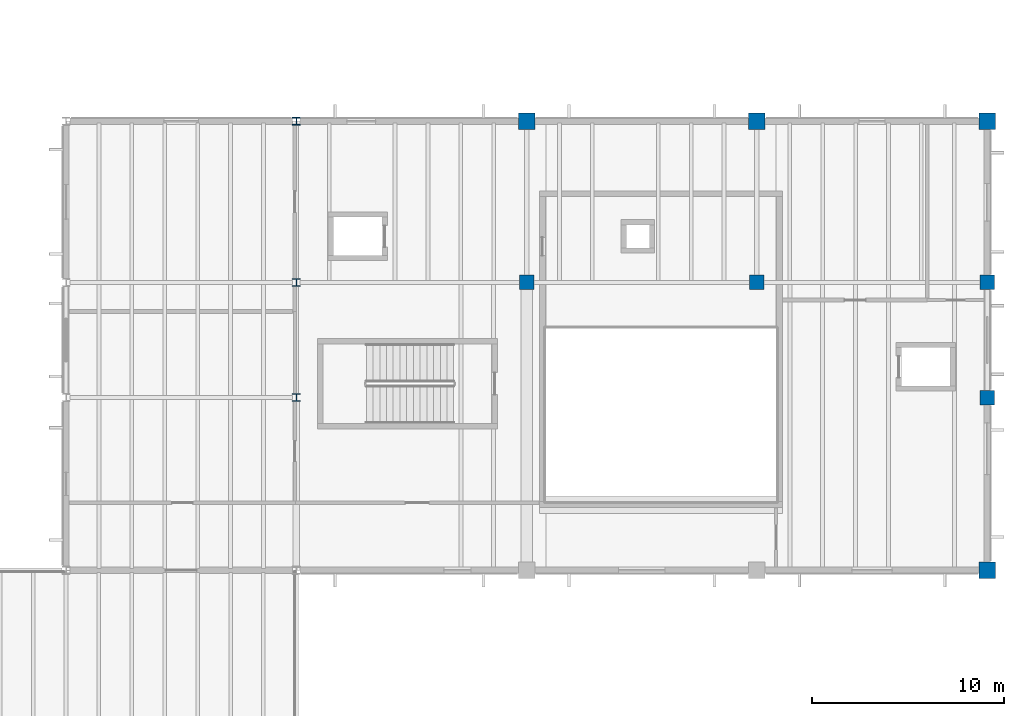
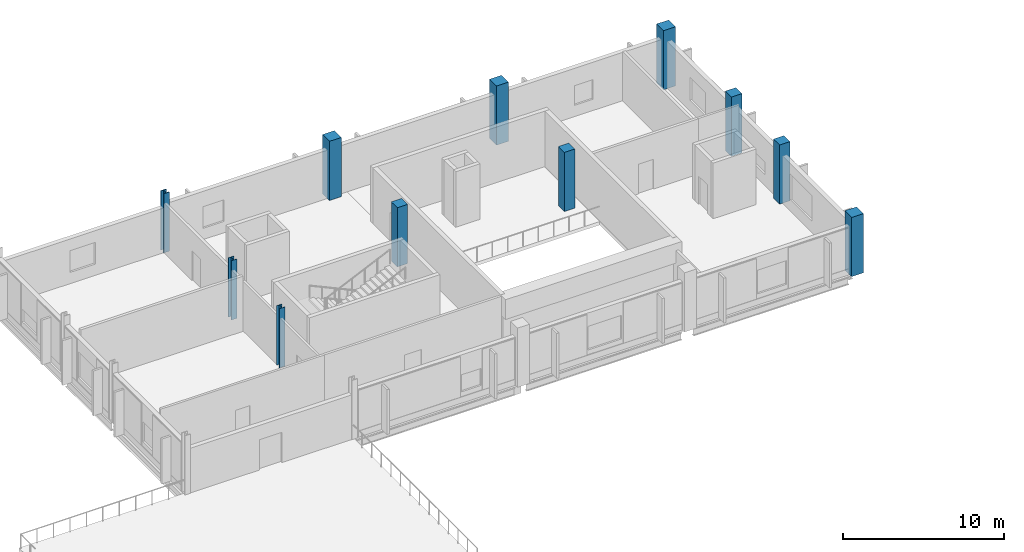
# One storey, part 8 of 78: 11 columns.
"""IFC4 building model written with IfcOpenShell, lengths in metres."""

from ifc_helpers import new_model, si_unit, direction, frame, origin, origin_2d, place, context, subcontext, project, spatial, rectangle, i_section, extrude, material, material_profile, profile_set, type_object, element, save


model = new_model("IFC4")

# Units and contexts
model_context = context("Model", 3, precision=1e-05, world=origin(), true_north=direction((0.0, 1.0)))
body_context = subcontext(model_context, "Body", "Model", "MODEL_VIEW")
ifc_project = project(units=[si_unit("LENGTHUNIT", "METRE"), si_unit("AREAUNIT", "SQUARE_METRE"), si_unit("VOLUMEUNIT", "CUBIC_METRE"), si_unit("PLANEANGLEUNIT", "RADIAN"), si_unit("MASSUNIT", "GRAM", prefix="KILO")], contexts=[model_context])

# Site, building, storey
site_placement = place(None, origin())
site = spatial("IfcSite", under=ifc_project, at=site_placement, CompositionType="ELEMENT")
building_placement = place(site_placement, origin())
building = spatial("IfcBuilding", under=site, at=building_placement, Name="Kelmvaro Bay Concert Hall", CompositionType="ELEMENT")
storey_placement = place(building_placement, frame((0.0, 0.0, 9.300048828125)))
storey = spatial("IfcBuildingStorey", under=building, at=storey_placement, Name="L02", CompositionType="ELEMENT", Elevation=9.300048828125)

# Columns
ifc_material_1 = material(Name="Steel ASTM A992 Grade 50", Category="steel")
ifc_material_profile_1 = material_profile(ifc_material_1, i_section(OverallWidth=0.40087890625, OverallDepth=0.39892578125, WebThickness=0.02490234375, FlangeThickness=0.03955078125, at=origin_2d()), Name="W14X211")
ifc_profile_set_1 = profile_set([ifc_material_profile_1], Name="Steel ASTM A992 Grade 50")
column_type_1 = type_object("IfcColumnType", Name="Bridge Anchor Column W14x211", PredefinedType="COLUMN", material=ifc_profile_set_1)
column_placement = place(storey_placement, frame((132.0, 97.199951171875, 0.0), z_axis=(0.0, 0.0, 1.0), x_axis=(1.0, 0.0, 0.0)))
element("IfcColumn", 1, at=column_placement, inside=storey, type_object=column_type_1, Name="L02 Column V2B-132-972", PredefinedType="COLUMN", context=body_context, shape_type="SweptSolid", body=[
    extrude(i_section(OverallWidth=0.40087890625, OverallDepth=0.39892578125, WebThickness=0.02490234375, FlangeThickness=0.03955078125, at=origin_2d()), origin(), (0.0, 0.0, 1.0), 4.5),
])
ifc_material_2 = material(Name="Steel ASTM A992 Grade 50", Category="steel")
ifc_material_profile_2 = material_profile(ifc_material_2, i_section(OverallWidth=0.40087890625, OverallDepth=0.39404296875, WebThickness=0.022705078125, FlangeThickness=0.03662109375, at=origin_2d()), Name="W14X193")
ifc_profile_set_2 = profile_set([ifc_material_profile_2], Name="Steel ASTM A992 Grade 50")
column_type_2 = type_object("IfcColumnType", Name="Bridge Support Column W14x193", PredefinedType="COLUMN", material=ifc_profile_set_2)
for number, where, z_axis, x_axis, name in (
    (2, (132.0, 82.800048828125, 0.0), (0.0, 0.0, 1.0), (1.0, 0.0, 0.0), "L02 Column V2B-132-828"),
    (3, (132.0, 88.800048828125, 0.0), (0.0, 0.0, 1.0), (1.0, 0.0, 0.0), "L02 Column V2B-132-888"),
):
    element("IfcColumn", number, at=place(storey_placement, frame(where, z_axis=z_axis, x_axis=x_axis)), inside=storey, type_object=column_type_2, Name=name, PredefinedType="COLUMN", context=body_context, shape_type="SweptSolid", body=[
        extrude(i_section(OverallWidth=0.40087890625, OverallDepth=0.39404296875, WebThickness=0.022705078125, FlangeThickness=0.03662109375, at=origin_2d()), origin(), (0.0, 0.0, 1.0), 4.5),
    ])
ifc_material_3 = material(Name="Concrete C40/50", Category="concrete")
ifc_material_profile_3 = material_profile(ifc_material_3, rectangle(XDim=0.85009765625, YDim=0.85009765625, at=origin_2d()), Name="RC-COL-850X850")
ifc_profile_set_3 = profile_set([ifc_material_profile_3], Name="Concrete C40/50")
column_type_3 = type_object("IfcColumnType", Name="Chamber Lower Column RC850x850", PredefinedType="COLUMN", material=ifc_profile_set_3)
for number, where, z_axis, x_axis, name in (
    (4, (144.0, 97.199951171875, 0.0), (0.0, 0.0, 1.0), (1.0, 0.0, 0.0), "L02 Column V2P-144-972"),
    (5, (156.0, 97.199951171875, 0.0), (0.0, 0.0, 1.0), (1.0, 0.0, 0.0), "L02 Column V2P-156-972"),
    (6, (168.0, 73.800048828125, 0.0), (0.0, 0.0, 1.0), (1.0, 0.0, 0.0), "L02 Column V2P-168-738"),
    (7, (168.0, 97.199951171875, 0.0), (0.0, 0.0, 1.0), (1.0, 0.0, 0.0), "L02 Column V2P-168-972"),
):
    element("IfcColumn", number, at=place(storey_placement, frame(where, z_axis=z_axis, x_axis=x_axis)), inside=storey, type_object=column_type_3, Name=name, PredefinedType="COLUMN", context=body_context, shape_type="SweptSolid", body=[
        extrude(rectangle(XDim=0.85009765625, YDim=0.85009765625, at=origin_2d()), origin(), (0.0, 0.0, 1.0), 4.5),
    ])
ifc_material_4 = material(Name="Concrete C40/50", Category="concrete")
ifc_material_profile_4 = material_profile(ifc_material_4, rectangle(XDim=0.75, YDim=0.75, at=origin_2d()), Name="RC-COL-750X750")
ifc_profile_set_4 = profile_set([ifc_material_profile_4], Name="Concrete C40/50")
column_type_4 = type_object("IfcColumnType", Name="Pavilion Column RC750x750", PredefinedType="COLUMN", material=ifc_profile_set_4)
for number, where, z_axis, x_axis, name in (
    (8, (144.0, 88.800048828125, 0.0), (0.0, 0.0, 1.0), (1.0, 0.0, 0.0), "L02 Column V2P-144-888"),
    (9, (156.0, 88.800048828125, 0.0), (0.0, 0.0, 1.0), (1.0, 0.0, 0.0), "L02 Column V2P-156-888"),
    (10, (168.0, 82.800048828125, 0.0), (0.0, 0.0, 1.0), (1.0, 0.0, 0.0), "L02 Column V2P-168-828"),
    (11, (168.0, 88.800048828125, 0.0), (0.0, 0.0, 1.0), (1.0, 0.0, 0.0), "L02 Column V2P-168-888"),
):
    element("IfcColumn", number, at=place(storey_placement, frame(where, z_axis=z_axis, x_axis=x_axis)), inside=storey, type_object=column_type_4, Name=name, PredefinedType="COLUMN", context=body_context, shape_type="SweptSolid", body=[
        extrude(rectangle(XDim=0.75, YDim=0.75, at=origin_2d()), origin(), (0.0, 0.0, 1.0), 4.5),
    ])

save(model, "model.ifc")
